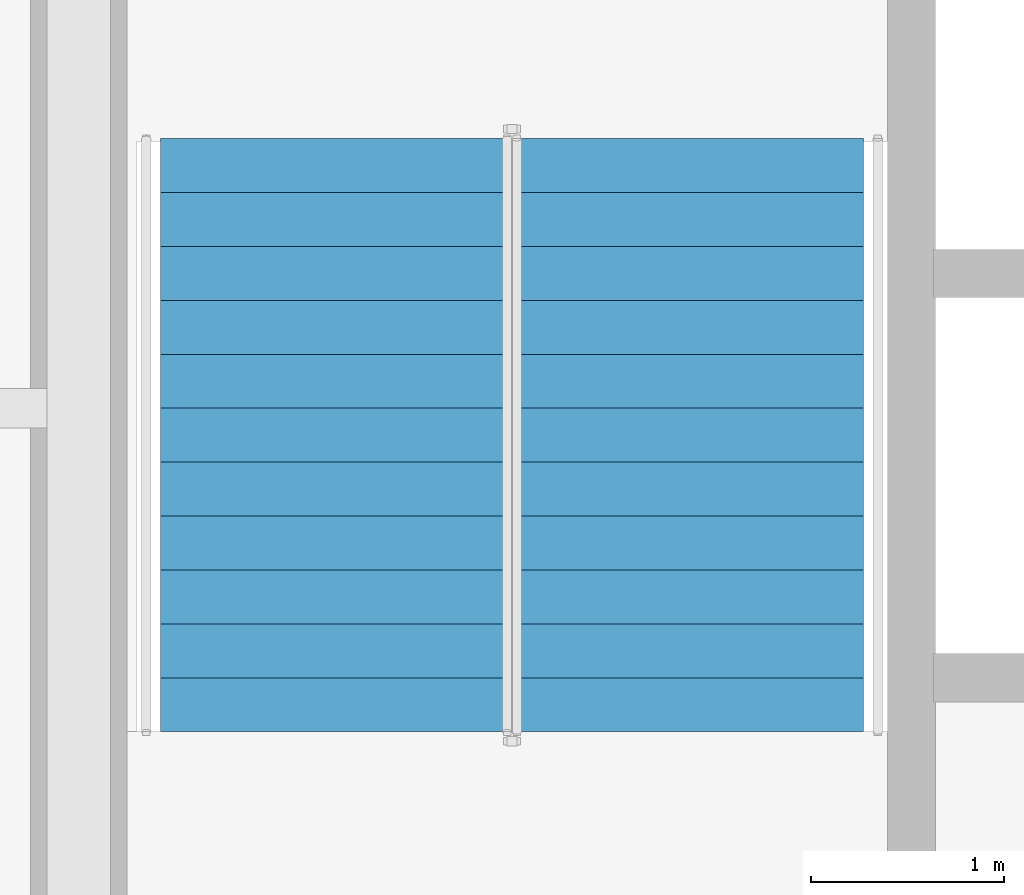
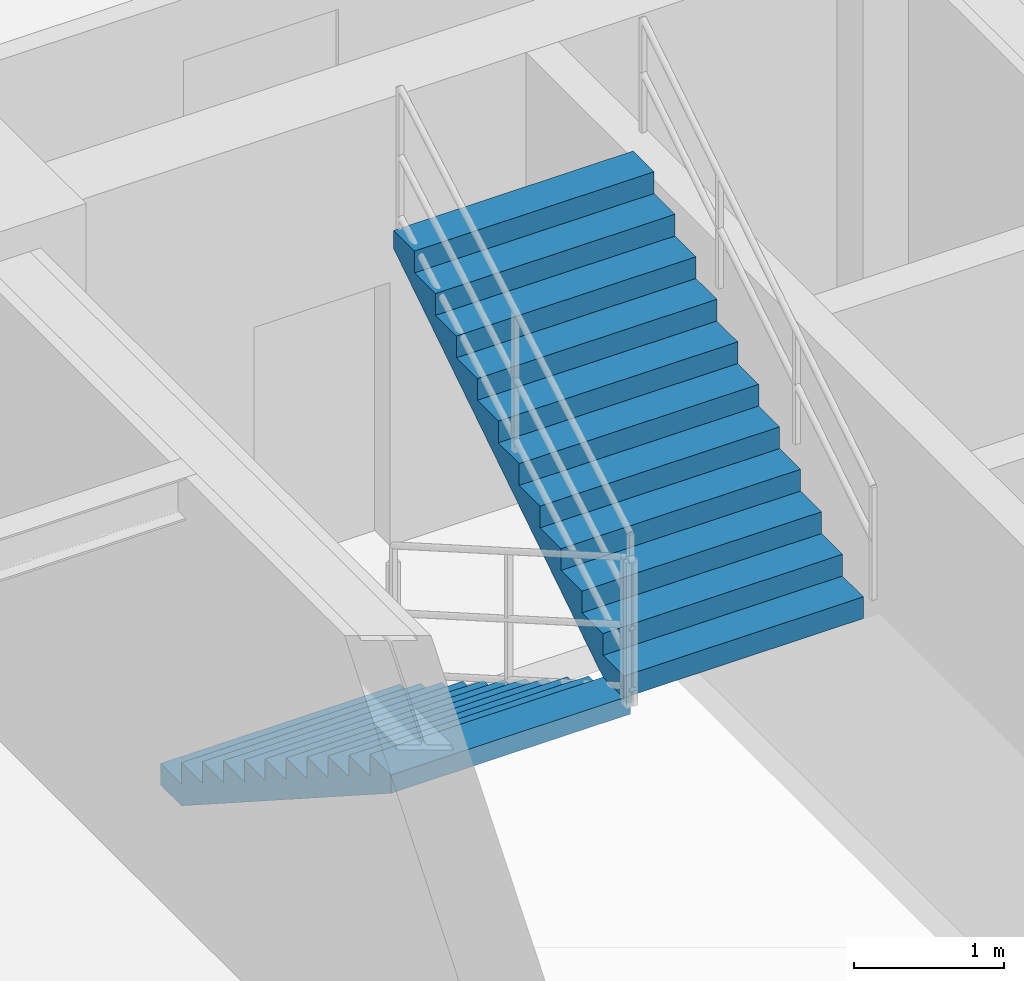
# One storey, part 6 of 9: 2 stair flights, 1 element without a shape of its own.
"""IFC4 building model written with IfcOpenShell, lengths in metres."""

from ifc_helpers import new_model, entity, si_unit, converted_unit, direction, frame, origin_with_axes, place, context, subcontext, project, spatial, polyline, outline, extrude, material, type_object, element, aggregate, save


model = new_model("IFC4")

# Units and contexts
model_context = context("Model", 3, precision=1e-05, world=origin_with_axes(), true_north=direction((0.0, 1.0)))
body_context = subcontext(model_context, "Body", "Model", "MODEL_VIEW")
ifc_project = project(units=[si_unit("LENGTHUNIT", "METRE"), si_unit("AREAUNIT", "SQUARE_METRE"), si_unit("VOLUMEUNIT", "CUBIC_METRE"), converted_unit("PLANEANGLEUNIT", "DEGREE", entity("IfcPlaneAngleMeasure", 0.017453292519943295), si_unit("PLANEANGLEUNIT", "RADIAN"), dimensions=[0, 0, 0, 0, 0, 0, 0]), si_unit("MASSUNIT", "GRAM", prefix="KILO"), si_unit("THERMODYNAMICTEMPERATUREUNIT", "KELVIN")], contexts=[model_context])

# Site, building, storey
site_placement = place(None, origin_with_axes())
site = spatial("IfcSite", under=ifc_project, at=site_placement, CompositionType="ELEMENT")
building_placement = place(site_placement, origin_with_axes())
building = spatial("IfcBuilding", under=site, at=building_placement, Name="Varnlund Millrace Tower", CompositionType="ELEMENT")
storey_placement = place(building_placement, frame((0.0, 0.0, 93.0), z_axis=(0.0, 0.0, 1.0), x_axis=(1.0, 0.0, 0.0)))
storey = spatial("IfcBuildingStorey", under=building, at=storey_placement, Name="L22", CompositionType="ELEMENT", Elevation=93.0)

# Stair, stair flights
ifc_material_1 = material(Name="Concrete C50/60", Category="concrete")
stair_type = type_object("IfcStairType", Name="Type-Stair-Dogleg-185-390", PredefinedType="HALF_TURN_STAIR", material=ifc_material_1)
stair_placement = place(storey_placement, origin_with_axes())
stair = element("IfcStair", 1, at=stair_placement, inside=storey, type_object=stair_type, Name="Type-Stair-Dogleg-185-390", PredefinedType="HALF_TURN_STAIR")
ifc_material_2 = material(Name="Precast concrete C50/60", Category="concrete")
stair_flight_type = type_object("IfcStairFlightType", Name="Type-Dogleg-Run-185-390", PredefinedType="STRAIGHT", material=ifc_material_2)
stair_flight_1_placement = place(storey_placement, frame((13.675, 35.9, 0.0), z_axis=(-1.0, 0.0, 0.0), x_axis=(0.0, -1.0, 0.0)))
stair_flight_1 = element("IfcStairFlight", 2, at=stair_flight_1_placement, type_object=stair_flight_type, Name="ST-A2 flight 1", NumberOfRisers=11, NumberOfTreads=11, PredefinedType="STRAIGHT", RiserHeight=0.177273, TreadLength=0.28, context=body_context, shape_type="SweptSolid", body=[
    extrude(outline(polyline([(0.0, 0.0), (0.0, 0.177273), (0.28, 0.177273), (0.28, 0.354545), (0.56, 0.354545), (0.56, 0.531818), (0.84, 0.531818), (0.84, 0.709091), (1.12, 0.709091), (1.12, 0.886364), (1.4, 0.886364), (1.4, 1.063636), (1.68, 1.063636), (1.68, 1.240909), (1.96, 1.240909), (1.96, 1.418182), (2.24, 1.418182), (2.24, 1.595454), (2.52, 1.595454), (2.52, 1.772727), (2.8, 1.772727), (2.8, 1.95), (3.08, 1.95), (3.08, 1.8), (0.28, 0.0), (0.0, 0.0)])), origin_with_axes(), (0.0, 0.0, 1.0), 1.85),
])
stair_flight_2_placement = place(storey_placement, frame((13.625, 32.82, 1.95), z_axis=(1.0, 0.0, 0.0), x_axis=(0.0, 1.0, 0.0)))
stair_flight_2 = element("IfcStairFlight", 3, at=stair_flight_2_placement, type_object=stair_flight_type, Name="ST-A2 flight 2", NumberOfRisers=11, NumberOfTreads=11, PredefinedType="STRAIGHT", RiserHeight=0.177273, TreadLength=0.28, context=body_context, shape_type="SweptSolid", body=[
    extrude(outline(polyline([(0.0, 0.0), (0.0, 0.177273), (0.28, 0.177273), (0.28, 0.354545), (0.56, 0.354545), (0.56, 0.531818), (0.84, 0.531818), (0.84, 0.709091), (1.12, 0.709091), (1.12, 0.886364), (1.4, 0.886364), (1.4, 1.063636), (1.68, 1.063636), (1.68, 1.240909), (1.96, 1.240909), (1.96, 1.418182), (2.24, 1.418182), (2.24, 1.595454), (2.52, 1.595454), (2.52, 1.772727), (2.8, 1.772727), (2.8, 1.95), (3.08, 1.95), (3.08, 1.8), (0.28, 0.0), (0.0, 0.0)])), origin_with_axes(), (0.0, 0.0, 1.0), 1.85),
])
aggregate(stair, [stair_flight_1, stair_flight_2])

save(model, "model.ifc")
